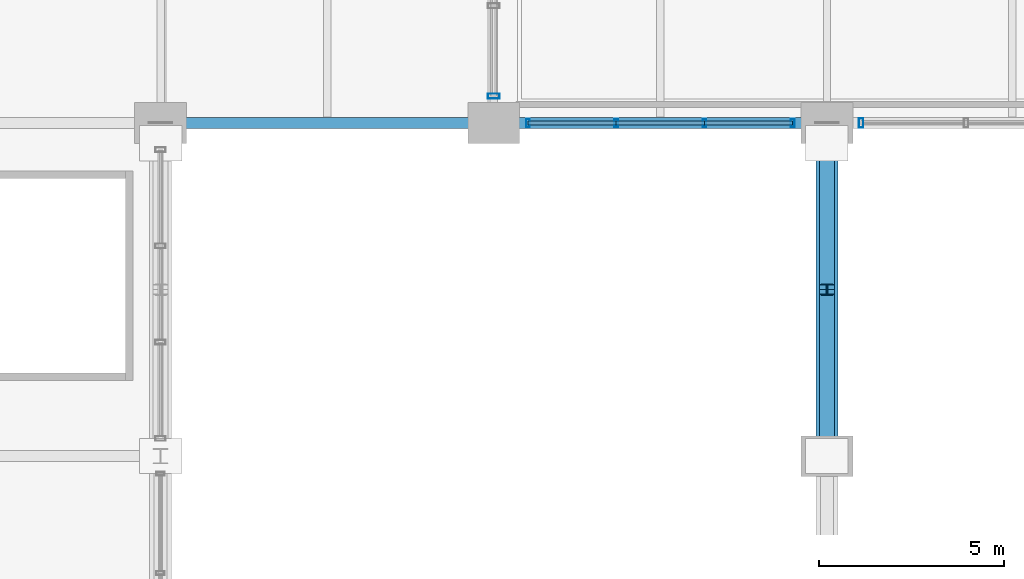
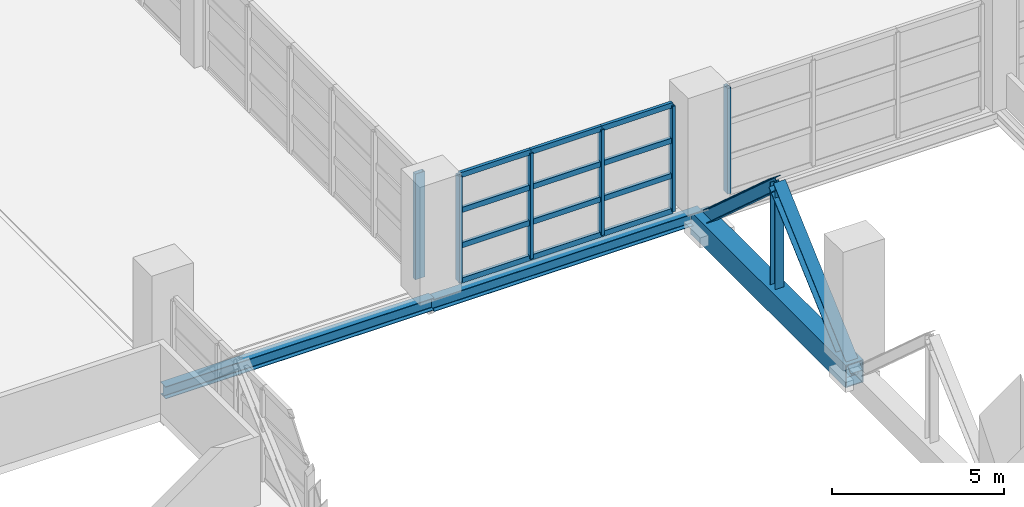
# One storey, part 52 of 136: 21 members, 3 beams, 3 elements without a shape of their own.
"""IFC4 building model written with IfcOpenShell, lengths in metres."""

from ifc_helpers import new_model, si_unit, direction, frame, origin, origin_2d, place, context, subcontext, project, spatial, hollow_rectangle, i_section, extrude, material, material_profile, profile_set, type_object, element, aggregate, save


model = new_model("IFC4")

# Units and contexts
model_context = context("Model", 3, precision=1e-05, world=origin(), true_north=direction((0.0, 1.0)))
body_context = subcontext(model_context, "Body", "Model", "MODEL_VIEW")
ifc_project = project(units=[si_unit("LENGTHUNIT", "METRE"), si_unit("AREAUNIT", "SQUARE_METRE"), si_unit("VOLUMEUNIT", "CUBIC_METRE"), si_unit("PLANEANGLEUNIT", "RADIAN"), si_unit("MASSUNIT", "GRAM", prefix="KILO")], contexts=[model_context])

# Site, building, storey
site_placement = place(None, origin())
site = spatial("IfcSite", under=ifc_project, at=site_placement, CompositionType="ELEMENT")
building_placement = place(site_placement, origin())
building = spatial("IfcBuilding", under=site, at=building_placement, Name="Chuanluo Vaults Station", CompositionType="ELEMENT")
storey_placement = place(building_placement, frame((0.0, 0.0, 6.60009765625)))
storey = spatial("IfcBuildingStorey", under=building, at=storey_placement, Name="L01", CompositionType="ELEMENT", Elevation=6.60009765625)

# Beams
ifc_material_1 = material(Name="Steel Q355C", Category="steel")
ifc_material_profile_1 = material_profile(ifc_material_1, i_section(OverallWidth=0.300048828125, OverallDepth=0.43994140625, WebThickness=0.010986328125, FlangeThickness=0.01806640625, FilletRadius=0.02001953125, at=origin_2d()))
ifc_profile_set_1 = profile_set([ifc_material_profile_1], Name="Steel Q355C")
beam_type_1 = type_object("IfcBeamType", Name="BM-GRD-450", PredefinedType="USERDEFINED", material=ifc_profile_set_1)
for number, where, z_axis, x_axis, name in (
    (1, (108.0, 103.5, -0.425048828125), (1.0, 0.0, 0.0), (0.0, 1.0, 0.0), "Floor girder BM:GX:L01:0368"),
    (2, (117.0, 103.5, -0.47998046875), (1.0, 0.0, 0.0), (0.0, 1.0, 0.0), "Floor girder BM:GX:L01:0369"),
):
    element("IfcBeam", number, at=place(storey_placement, frame(where, z_axis=z_axis, x_axis=x_axis)), inside=storey, type_object=beam_type_1, Name=name, ObjectType="GIRDER", PredefinedType="USERDEFINED", context=body_context, shape_type="SweptSolid", body=[
        extrude(i_section(OverallWidth=0.300048828125, OverallDepth=0.43994140625, WebThickness=0.010986328125, FlangeThickness=0.01806640625, FilletRadius=0.02001953125, at=origin_2d()), origin(), (0.0, 0.0, 1.0), 9.0),
    ])
ifc_material_2 = material(Name="Steel Q390C", Category="steel")
ifc_material_profile_2 = material_profile(ifc_material_2, hollow_rectangle(XDim=0.60009765625, YDim=0.800048828125, WallThickness=0.031982421875, at=origin_2d()))
ifc_profile_set_2 = profile_set([ifc_material_profile_2], Name="Steel Q390C")
beam_type_2 = type_object("IfcBeamType", Name="BM-TT-BOT", PredefinedType="USERDEFINED", material=ifc_profile_set_2)
beam_placement = place(storey_placement, frame((126.0, 94.5, -0.68017578125), z_axis=(0.0, 1.0, 0.0), x_axis=(-1.0, 0.0, 0.0)))
element("IfcBeam", 3, at=beam_placement, inside=storey, type_object=beam_type_2, Name="Transfer truss TT-8 bottom chord 4", ObjectType="GIRDER", PredefinedType="USERDEFINED", context=body_context, shape_type="SweptSolid", body=[
    extrude(hollow_rectangle(XDim=0.60009765625, YDim=0.800048828125, WallThickness=0.031982421875, at=origin_2d()), origin(), (0.0, 0.0, 1.0), 9.0),
])

# Curtain wall, members
ifc_material_3 = material(Name="Anodised aluminium 6063-T6", Category="aluminium")
curtain_wall_type_1 = type_object("IfcCurtainWallType", Name="CW-SYS-16", PredefinedType="NOTDEFINED", material=ifc_material_3)
curtain_wall_1_placement = place(storey_placement, origin())
curtain_wall_1 = element("IfcCurtainWall", 4, at=curtain_wall_1_placement, inside=storey, type_object=curtain_wall_type_1, Name="Operations L01 facade CW", PredefinedType="NOTDEFINED")
ifc_material_4 = material(Name="Anodised aluminium 6063-T6", Category="aluminium")
ifc_material_profile_3 = material_profile(ifc_material_4, hollow_rectangle(XDim=0.10498046875, YDim=0.219970703125, WallThickness=0.006103515625, at=origin_2d()))
ifc_profile_set_3 = profile_set([ifc_material_profile_3], Name="Anodised aluminium 6063-T6")
member_type_1 = type_object("IfcMemberType", Name="CWM-140", PredefinedType="MULLION", material=ifc_profile_set_3)
member_1_placement = place(storey_placement, frame((125.074951171875, 103.5, 0.0), z_axis=(0.0, 0.0, 1.0), x_axis=(-1.0, 0.0, 0.0)))
member_1 = element("IfcMember", 5, at=member_1_placement, type_object=member_type_1, Name="Operations L01 facade CW mullion 1", PredefinedType="MULLION", context=body_context, shape_type="SweptSolid", body=[
    extrude(hollow_rectangle(XDim=0.10498046875, YDim=0.219970703125, WallThickness=0.006103515625, at=origin_2d()), origin(), (0.0, 0.0, 1.0), 3.75),
])
member_2_placement = place(storey_placement, frame((122.691650390625, 103.5, 0.0), z_axis=(0.0, 0.0, 1.0), x_axis=(-1.0, 0.0, 0.0)))
member_2 = element("IfcMember", 6, at=member_2_placement, type_object=member_type_1, Name="Operations L01 facade CW mullion 2", PredefinedType="MULLION", context=body_context, shape_type="SweptSolid", body=[
    extrude(hollow_rectangle(XDim=0.10498046875, YDim=0.219970703125, WallThickness=0.006103515625, at=origin_2d()), origin(), (0.0, 0.0, 1.0), 3.75),
])
member_3_placement = place(storey_placement, frame((120.308349609375, 103.5, 0.0), z_axis=(0.0, 0.0, 1.0), x_axis=(-1.0, 0.0, 0.0)))
member_3 = element("IfcMember", 7, at=member_3_placement, type_object=member_type_1, Name="Operations L01 facade CW mullion 3", PredefinedType="MULLION", context=body_context, shape_type="SweptSolid", body=[
    extrude(hollow_rectangle(XDim=0.10498046875, YDim=0.219970703125, WallThickness=0.006103515625, at=origin_2d()), origin(), (0.0, 0.0, 1.0), 3.75),
])
member_4_placement = place(storey_placement, frame((117.925048828125, 103.5, 0.0), z_axis=(0.0, 0.0, 1.0), x_axis=(-1.0, 0.0, 0.0)))
member_4 = element("IfcMember", 8, at=member_4_placement, type_object=member_type_1, Name="Operations L01 facade CW mullion 4", PredefinedType="MULLION", context=body_context, shape_type="SweptSolid", body=[
    extrude(hollow_rectangle(XDim=0.10498046875, YDim=0.219970703125, WallThickness=0.006103515625, at=origin_2d()), origin(), (0.0, 0.0, 1.0), 3.75),
])

# Curtain wall, member
ifc_material_5 = material(Name="Anodised aluminium 6063-T6", Category="aluminium")
curtain_wall_type_2 = type_object("IfcCurtainWallType", Name="CW-SYS-15", PredefinedType="NOTDEFINED", material=ifc_material_5)
curtain_wall_2_placement = place(storey_placement, origin())
curtain_wall_2 = element("IfcCurtainWall", 9, at=curtain_wall_2_placement, inside=storey, type_object=curtain_wall_type_2, Name="Operations L01 facade CW part 2", PredefinedType="NOTDEFINED")
ifc_material_6 = material(Name="Anodised aluminium 6063-T6", Category="aluminium")
ifc_material_profile_4 = material_profile(ifc_material_6, hollow_rectangle(XDim=0.1201171875, YDim=0.25, WallThickness=0.006103515625, at=origin_2d()))
ifc_profile_set_4 = profile_set([ifc_material_profile_4], Name="Anodised aluminium 6063-T6")
member_type_2 = type_object("IfcMemberType", Name="CWM-160", PredefinedType="MULLION", material=ifc_profile_set_4)
member_5_placement = place(storey_placement, frame((126.925048828125, 103.5, 0.0), z_axis=(0.0, 0.0, 1.0), x_axis=(-1.0, 0.0, 0.0)))
member_5 = element("IfcMember", 10, at=member_5_placement, type_object=member_type_2, Name="Operations L01 facade CW part 2 mullion 4", PredefinedType="MULLION", context=body_context, shape_type="SweptSolid", body=[
    extrude(hollow_rectangle(XDim=0.1201171875, YDim=0.25, WallThickness=0.006103515625, at=origin_2d()), origin(), (0.0, 0.0, 1.0), 3.75),
])
aggregate(curtain_wall_2, [member_5])

ifc_material_7 = material(Name="Anodised aluminium 6063-T6", Category="aluminium")
curtain_wall_type_3 = type_object("IfcCurtainWallType", Name="CW-SYS-17", PredefinedType="NOTDEFINED", material=ifc_material_7)
curtain_wall_3_placement = place(storey_placement, origin())
curtain_wall_3 = element("IfcCurtainWall", 11, at=curtain_wall_3_placement, inside=storey, type_object=curtain_wall_type_3, Name="Operations L01 facade CW", PredefinedType="NOTDEFINED")
ifc_material_8 = material(Name="Anodised aluminium 6063-T6", Category="aluminium")
ifc_material_profile_5 = material_profile(ifc_material_8, hollow_rectangle(XDim=0.139892578125, YDim=0.320068359375, WallThickness=0.008056640625, at=origin_2d()))
ifc_profile_set_5 = profile_set([ifc_material_profile_5], Name="Anodised aluminium 6063-T6")
member_type_3 = type_object("IfcMemberType", Name="CWM-220", PredefinedType="MULLION", material=ifc_profile_set_5)
member_6_placement = place(storey_placement, frame((117.0, 104.22509765625, 0.0), z_axis=(0.0, 0.0, 1.0), x_axis=(0.0, 1.0, 0.0)))
member_6 = element("IfcMember", 12, at=member_6_placement, type_object=member_type_3, Name="Operations L01 facade CW mullion 1", PredefinedType="MULLION", context=body_context, shape_type="SweptSolid", body=[
    extrude(hollow_rectangle(XDim=0.139892578125, YDim=0.320068359375, WallThickness=0.008056640625, at=origin_2d()), origin(), (0.0, 0.0, 1.0), 3.75),
])
aggregate(curtain_wall_3, [member_6])

# Member
ifc_material_9 = material(Name="Anodised aluminium 6063-T6", Category="aluminium")
ifc_material_profile_6 = material_profile(ifc_material_9, hollow_rectangle(XDim=0.10498046875, YDim=0.18505859375, WallThickness=0.0048828125, at=origin_2d()))
ifc_profile_set_6 = profile_set([ifc_material_profile_6], Name="Anodised aluminium 6063-T6")
member_type_4 = type_object("IfcMemberType", Name="CWT-110", PredefinedType="USERDEFINED", material=ifc_profile_set_6)
member_7_placement = place(storey_placement, frame((125.074951171875, 103.5, 0.0), z_axis=(-1.0, 0.0, 0.0), x_axis=(0.0, -1.0, 0.0)))
member_7 = element("IfcMember", 13, at=member_7_placement, type_object=member_type_4, Name="Operations L01 facade CW transom 1.1", ObjectType="TRANSOM", PredefinedType="USERDEFINED", context=body_context, shape_type="SweptSolid", body=[
    extrude(hollow_rectangle(XDim=0.10498046875, YDim=0.18505859375, WallThickness=0.0048828125, at=origin_2d()), origin(), (0.0, 0.0, 1.0), 2.38330078125),
])

member_8_placement = place(storey_placement, frame((125.074951171875, 103.5, 1.25), z_axis=(-1.0, 0.0, 0.0), x_axis=(0.0, -1.0, 0.0)))
member_8 = element("IfcMember", 14, at=member_8_placement, type_object=member_type_4, Name="Operations L01 facade CW transom 1.2", ObjectType="TRANSOM", PredefinedType="USERDEFINED", context=body_context, shape_type="SweptSolid", body=[
    extrude(hollow_rectangle(XDim=0.10498046875, YDim=0.18505859375, WallThickness=0.0048828125, at=origin_2d()), origin(), (0.0, 0.0, 1.0), 2.38330078125),
])

member_9_placement = place(storey_placement, frame((125.074951171875, 103.5, 2.5), z_axis=(-1.0, 0.0, 0.0), x_axis=(0.0, -1.0, 0.0)))
member_9 = element("IfcMember", 15, at=member_9_placement, type_object=member_type_4, Name="Operations L01 facade CW transom 1.3", ObjectType="TRANSOM", PredefinedType="USERDEFINED", context=body_context, shape_type="SweptSolid", body=[
    extrude(hollow_rectangle(XDim=0.10498046875, YDim=0.18505859375, WallThickness=0.0048828125, at=origin_2d()), origin(), (0.0, 0.0, 1.0), 2.38330078125),
])

member_10_placement = place(storey_placement, frame((125.074951171875, 103.5, 3.75), z_axis=(-1.0, 0.0, 0.0), x_axis=(0.0, -1.0, 0.0)))
member_10 = element("IfcMember", 16, at=member_10_placement, type_object=member_type_4, Name="Operations L01 facade CW transom 1.4", ObjectType="TRANSOM", PredefinedType="USERDEFINED", context=body_context, shape_type="SweptSolid", body=[
    extrude(hollow_rectangle(XDim=0.10498046875, YDim=0.18505859375, WallThickness=0.0048828125, at=origin_2d()), origin(), (0.0, 0.0, 1.0), 2.38330078125),
])

member_11_placement = place(storey_placement, frame((122.691650390625, 103.5, 0.0), z_axis=(-1.0, 0.0, 0.0), x_axis=(0.0, -1.0, 0.0)))
member_11 = element("IfcMember", 17, at=member_11_placement, type_object=member_type_4, Name="Operations L01 facade CW transom 2.1", ObjectType="TRANSOM", PredefinedType="USERDEFINED", context=body_context, shape_type="SweptSolid", body=[
    extrude(hollow_rectangle(XDim=0.10498046875, YDim=0.18505859375, WallThickness=0.0048828125, at=origin_2d()), origin(), (0.0, 0.0, 1.0), 2.38330078125),
])

member_12_placement = place(storey_placement, frame((122.691650390625, 103.5, 1.25), z_axis=(-1.0, 0.0, 0.0), x_axis=(0.0, -1.0, 0.0)))
member_12 = element("IfcMember", 18, at=member_12_placement, type_object=member_type_4, Name="Operations L01 facade CW transom 2.2", ObjectType="TRANSOM", PredefinedType="USERDEFINED", context=body_context, shape_type="SweptSolid", body=[
    extrude(hollow_rectangle(XDim=0.10498046875, YDim=0.18505859375, WallThickness=0.0048828125, at=origin_2d()), origin(), (0.0, 0.0, 1.0), 2.38330078125),
])

member_13_placement = place(storey_placement, frame((122.691650390625, 103.5, 2.5), z_axis=(-1.0, 0.0, 0.0), x_axis=(0.0, -1.0, 0.0)))
member_13 = element("IfcMember", 19, at=member_13_placement, type_object=member_type_4, Name="Operations L01 facade CW transom 2.3", ObjectType="TRANSOM", PredefinedType="USERDEFINED", context=body_context, shape_type="SweptSolid", body=[
    extrude(hollow_rectangle(XDim=0.10498046875, YDim=0.18505859375, WallThickness=0.0048828125, at=origin_2d()), origin(), (0.0, 0.0, 1.0), 2.38330078125),
])

member_14_placement = place(storey_placement, frame((122.691650390625, 103.5, 3.75), z_axis=(-1.0, 0.0, 0.0), x_axis=(0.0, -1.0, 0.0)))
member_14 = element("IfcMember", 20, at=member_14_placement, type_object=member_type_4, Name="Operations L01 facade CW transom 2.4", ObjectType="TRANSOM", PredefinedType="USERDEFINED", context=body_context, shape_type="SweptSolid", body=[
    extrude(hollow_rectangle(XDim=0.10498046875, YDim=0.18505859375, WallThickness=0.0048828125, at=origin_2d()), origin(), (0.0, 0.0, 1.0), 2.38330078125),
])

member_15_placement = place(storey_placement, frame((120.308349609375, 103.5, 0.0), z_axis=(-1.0, 0.0, 0.0), x_axis=(0.0, -1.0, 0.0)))
member_15 = element("IfcMember", 21, at=member_15_placement, type_object=member_type_4, Name="Operations L01 facade CW transom 3.1", ObjectType="TRANSOM", PredefinedType="USERDEFINED", context=body_context, shape_type="SweptSolid", body=[
    extrude(hollow_rectangle(XDim=0.10498046875, YDim=0.18505859375, WallThickness=0.0048828125, at=origin_2d()), origin(), (0.0, 0.0, 1.0), 2.38330078125),
])

member_16_placement = place(storey_placement, frame((120.308349609375, 103.5, 1.25), z_axis=(-1.0, 0.0, 0.0), x_axis=(0.0, -1.0, 0.0)))
member_16 = element("IfcMember", 22, at=member_16_placement, type_object=member_type_4, Name="Operations L01 facade CW transom 3.2", ObjectType="TRANSOM", PredefinedType="USERDEFINED", context=body_context, shape_type="SweptSolid", body=[
    extrude(hollow_rectangle(XDim=0.10498046875, YDim=0.18505859375, WallThickness=0.0048828125, at=origin_2d()), origin(), (0.0, 0.0, 1.0), 2.38330078125),
])

member_17_placement = place(storey_placement, frame((120.308349609375, 103.5, 2.5), z_axis=(-1.0, 0.0, 0.0), x_axis=(0.0, -1.0, 0.0)))
member_17 = element("IfcMember", 23, at=member_17_placement, type_object=member_type_4, Name="Operations L01 facade CW transom 3.3", ObjectType="TRANSOM", PredefinedType="USERDEFINED", context=body_context, shape_type="SweptSolid", body=[
    extrude(hollow_rectangle(XDim=0.10498046875, YDim=0.18505859375, WallThickness=0.0048828125, at=origin_2d()), origin(), (0.0, 0.0, 1.0), 2.38330078125),
])

member_18_placement = place(storey_placement, frame((120.308349609375, 103.5, 3.75), z_axis=(-1.0, 0.0, 0.0), x_axis=(0.0, -1.0, 0.0)))
member_18 = element("IfcMember", 24, at=member_18_placement, type_object=member_type_4, Name="Operations L01 facade CW transom 3.4", ObjectType="TRANSOM", PredefinedType="USERDEFINED", context=body_context, shape_type="SweptSolid", body=[
    extrude(hollow_rectangle(XDim=0.10498046875, YDim=0.18505859375, WallThickness=0.0048828125, at=origin_2d()), origin(), (0.0, 0.0, 1.0), 2.38330078125),
])

aggregate(curtain_wall_1, [member_1, member_2, member_3, member_4, member_7, member_8, member_9, member_10, member_11, member_12, member_13, member_14, member_15, member_16, member_17, member_18])

# Members
ifc_material_10 = material(Name="Steel Q390C", Category="steel")
ifc_material_profile_7 = material_profile(ifc_material_10, i_section(OverallWidth=0.39990234375, OverallDepth=0.407958984375, WebThickness=0.02099609375, FlangeThickness=0.02099609375, FilletRadius=0.02197265625, at=origin_2d()))
ifc_profile_set_7 = profile_set([ifc_material_profile_7], Name="Steel Q390C")
member_type_5 = type_object("IfcMemberType", Name="MEM-DIAG-408", PredefinedType="BRACE", material=ifc_profile_set_7)
for number, where, z_axis, x_axis, name in (
    (25, (126.0, 94.5, -0.68017578125), (0.0, 0.744935757439, 0.667136205949), (-1.0, 0.0, 0.0), "Transfer truss TT-8 diagonal 4A"),
    (26, (126.0, 99.0, 3.349853515625), (0.0, 0.744935757439, -0.667136205949), (-1.0, 0.0, 0.0), "Transfer truss TT-8 diagonal 4B"),
):
    element("IfcMember", number, at=place(storey_placement, frame(where, z_axis=z_axis, x_axis=x_axis)), inside=storey, type_object=member_type_5, Name=name, PredefinedType="BRACE", context=body_context, shape_type="SweptSolid", body=[
        extrude(i_section(OverallWidth=0.39990234375, OverallDepth=0.407958984375, WebThickness=0.02099609375, FlangeThickness=0.02099609375, FilletRadius=0.02197265625, at=origin_2d()), origin(), (0.0, 0.0, 1.0), 6.040771484375),
    ])
ifc_material_11 = material(Name="Steel Q390C", Category="steel")
ifc_material_profile_8 = material_profile(ifc_material_11, i_section(OverallWidth=0.300048828125, OverallDepth=0.300048828125, WebThickness=0.010009765625, FlangeThickness=0.014892578125, FilletRadius=0.01806640625, at=origin_2d()))
ifc_profile_set_8 = profile_set([ifc_material_profile_8], Name="Steel Q390C")
member_type_6 = type_object("IfcMemberType", Name="MEM-VERT-300", PredefinedType="POST", material=ifc_profile_set_8)
member_19_placement = place(storey_placement, frame((126.0, 99.0, -0.68017578125), z_axis=(0.0, 0.0, 1.0), x_axis=(1.0, 0.0, 0.0)))
element("IfcMember", 27, at=member_19_placement, inside=storey, type_object=member_type_6, Name="Transfer truss TT-8 mid-panel hanger 4", PredefinedType="POST", context=body_context, shape_type="SweptSolid", body=[
    extrude(i_section(OverallWidth=0.300048828125, OverallDepth=0.300048828125, WebThickness=0.010009765625, FlangeThickness=0.014892578125, FilletRadius=0.01806640625, at=origin_2d()), origin(), (0.0, 0.0, 1.0), 4.030029296875),
])

save(model, "model.ifc")
